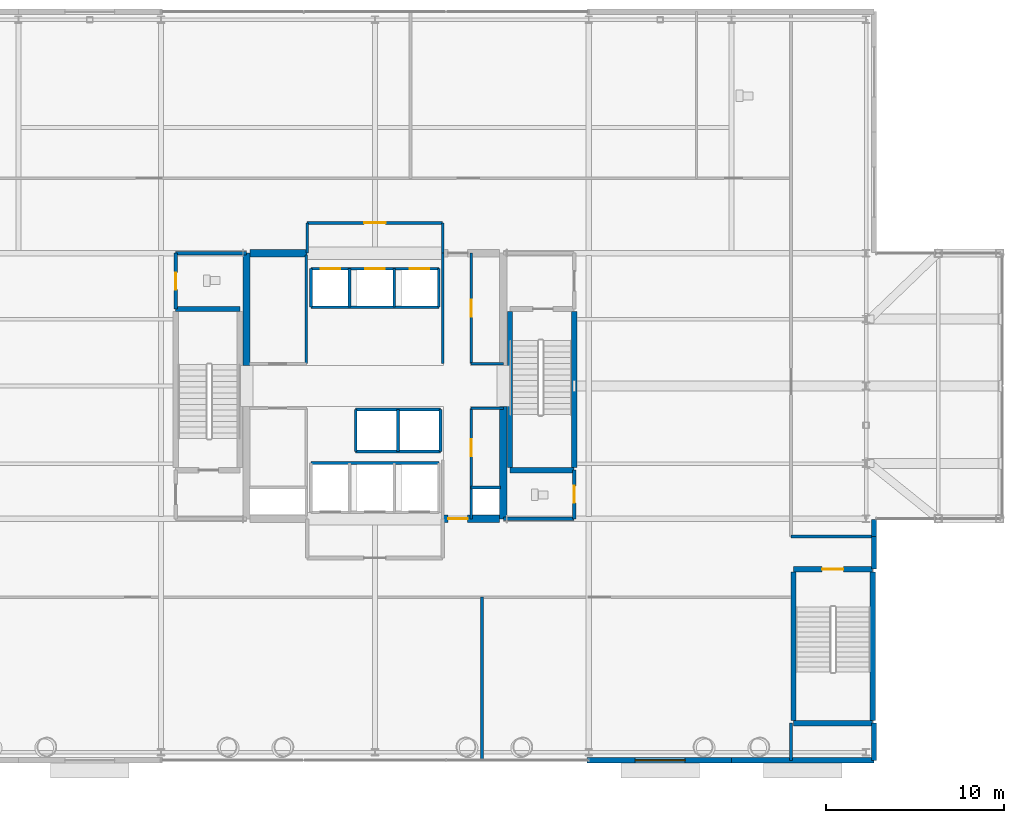
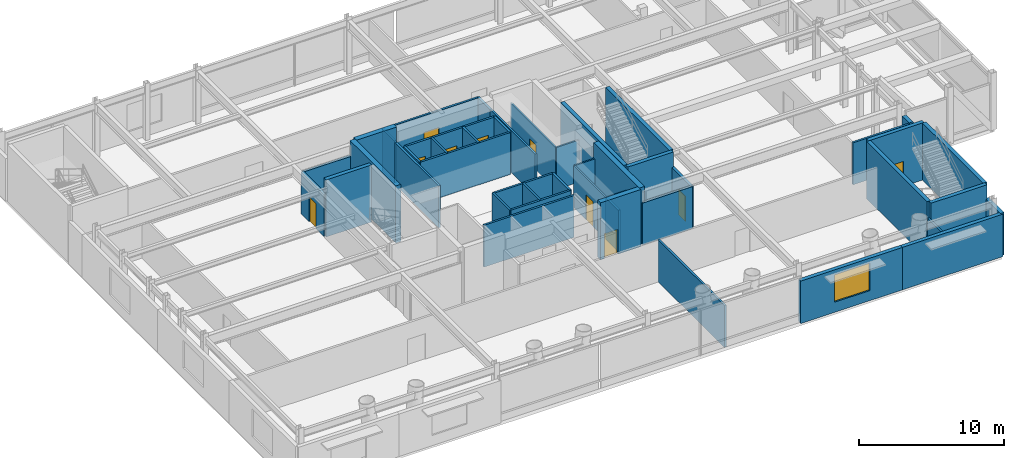
# One storey, part 20 of 26: 47 walls, 10 doors, 1 window, 11 openings.
"""IFC4 building model written with IfcOpenShell, lengths in metres."""

from ifc_helpers import new_model, si_unit, direction, frame, frame_2d, origin, place, context, subcontext, project, spatial, rectangle, extrude, material, layer, layer_set, type_object, element, fill, save


model = new_model("IFC4")

# Units and contexts
model_context = context("Model", 3, precision=1e-05, world=origin(), true_north=direction((0.0, 1.0)))
body_context = subcontext(model_context, "Body", "Model", "MODEL_VIEW")
ifc_project = project(units=[si_unit("LENGTHUNIT", "METRE"), si_unit("AREAUNIT", "SQUARE_METRE"), si_unit("VOLUMEUNIT", "CUBIC_METRE"), si_unit("PLANEANGLEUNIT", "RADIAN"), si_unit("MASSUNIT", "GRAM", prefix="KILO")], contexts=[model_context])

# Site, building, storey
site_placement = place(None, origin())
site = spatial("IfcSite", under=ifc_project, at=site_placement, CompositionType="ELEMENT")
building_placement = place(site_placement, origin())
building = spatial("IfcBuilding", under=site, at=building_placement, Name="Veldorina Hangang Commons", CompositionType="ELEMENT")
storey_placement = place(building_placement, frame((0.0, 0.0, 5.199951171875)))
storey = spatial("IfcBuildingStorey", under=building, at=storey_placement, Name="L01", CompositionType="ELEMENT", Elevation=5.199951171875)

# Walls
ifc_material_1 = material(Name="Concrete C70/85", Category="concrete")
ifc_layer_1 = layer(ifc_material_1, 0.39990234375)
ifc_layer_set_1 = layer_set([ifc_layer_1], Name="Concrete C70/85")
wall_type_1 = type_object("IfcWallType", Name="CW-RC400-C70", PredefinedType="SHEAR", material=ifc_layer_set_1)
for number, where, z_axis, x_axis, name in (
    (1, (24.800048828125, 25.14990234375, 0.0), (0.0, 0.0, 1.0), (0.0, 1.0, 0.0), "L01 W north core shear wall"),
    (2, (39.199951171875, 16.550048828125, 0.0), (0.0, 0.0, 1.0), (0.0, 1.0, 0.0), "L01 E south core shear wall"),
):
    element("IfcWall", number, at=place(storey_placement, frame(where, z_axis=z_axis, x_axis=x_axis)), inside=storey, type_object=wall_type_1, Name=name, PredefinedType="SHEAR", context=body_context, shape_type="SweptSolid", body=[
        extrude(rectangle(XDim=6.300048828125, YDim=0.39990234375, at=frame_2d((3.14990234375, 0.0))), origin(), (0.0, 0.0, 1.0), 4.800048828125),
    ])

# Wall, opening, door
wall_1_placement = place(storey_placement, frame((35.800048828125, 16.550048828125, 0.0), z_axis=(0.0, 0.0, 1.0), x_axis=(1.0, 0.0, 0.0)))
wall_1 = element("IfcWall", 3, at=wall_1_placement, inside=storey, type_object=wall_type_1, Name="L01 south-east core shear wall", PredefinedType="SHEAR", context=body_context, shape_type="SweptSolid", body=[
    extrude(rectangle(XDim=3.199951171875, YDim=0.39990234375, at=frame_2d((1.60009765625, 0.0))), origin(), (0.0, 0.0, 1.0), 4.800048828125),
])
opening_1_placement = place(wall_1_placement, frame((0.300048828125, 0.0, 0.0)))
opening_1 = element("IfcOpeningElement", 4, at=opening_1_placement, cuts=wall_1, Name="Opening D-08", PredefinedType="OPENING", context=body_context, shape_type="SweptSolid", body=[
    extrude(rectangle(XDim=1.10009765625, YDim=2.10009765625, at=frame_2d((0.550048828125, 1.050048828125))), frame((0.0, 0.2099609375, 0.0), z_axis=(0.0, -1.0, 0.0), x_axis=(1.0, 0.0, 0.0)), (0.0, 0.0, 1.0), 0.419921875),
])
ifc_material_2 = material(Name="Steel Fire-Rated Smoke Seal", Category="steel")
door_type_1 = type_object("IfcDoorType", Name="DR-FIRE-1100", OperationType="SINGLE_SWING_RIGHT", PredefinedType="DOOR", material=ifc_material_2)
door_1_placement = place(opening_1_placement, origin())
door_1 = element("IfcDoor", 5, at=door_1_placement, inside=storey, type_object=door_type_1, Name="L01 central lift lobby south corridor door", OperationType="SINGLE_SWING_RIGHT", OverallHeight=2.10009765625, OverallWidth=1.10009765625, PredefinedType="DOOR", context=body_context, shape_type="SweptSolid", body=[
    extrude(rectangle(XDim=1.10009765625, YDim=2.10009765625, at=frame_2d((0.550048828125, 1.050048828125))), frame((0.0, 0.02490234375, 0.0), z_axis=(0.0, -1.0, 0.0), x_axis=(1.0, 0.0, 0.0)), (0.0, 0.0, 1.0), 0.050048828125),
])
fill(opening_1, door_1)

# Wall
wall_2_placement = place(storey_placement, frame((25.0, 31.449951171875, 0.0), z_axis=(0.0, 0.0, 1.0), x_axis=(1.0, 0.0, 0.0)))
element("IfcWall", 6, at=wall_2_placement, inside=storey, type_object=wall_type_1, Name="L01 north-west core shear wall", PredefinedType="SHEAR", context=body_context, shape_type="SweptSolid", body=[
    extrude(rectangle(XDim=3.199951171875, YDim=0.39990234375, at=frame_2d((1.60009765625, 0.0))), origin(), (0.0, 0.0, 1.0), 4.800048828125),
])

# Wall, opening, window
ifc_material_3 = material(Name="Stone Roman Travertine", Category="masonry")
ifc_layer_2 = layer(ifc_material_3, 0.300048828125)
ifc_layer_set_2 = layer_set([ifc_layer_2], Name="Stone Roman Travertine")
wall_type_2 = type_object("IfcWallType", Name="EW-TRAV-300", PredefinedType="STANDARD", material=ifc_layer_set_2)
wall_3_placement = place(storey_placement, frame((43.905029296875, 3.0, 0.0), z_axis=(0.0, 0.0, 1.0), x_axis=(1.0, 0.0, 0.0)))
wall_3 = element("IfcWall", 7, at=wall_3_placement, inside=storey, type_object=wall_type_2, Name="L01 south podium stone wall S6", PredefinedType="STANDARD", context=body_context, shape_type="SweptSolid", body=[
    extrude(rectangle(XDim=8.094970703125, YDim=0.300048828125, at=frame_2d((4.04736328125, 0.0))), origin(), (0.0, 0.0, 1.0), 3.570068359375),
])
opening_2_placement = place(wall_3_placement, frame((2.695068359375, 0.0, 0.85009765625)))
opening_2 = element("IfcOpeningElement", 8, at=opening_2_placement, cuts=wall_3, Name="Opening W-06", PredefinedType="OPENING", context=body_context, shape_type="SweptSolid", body=[
    extrude(rectangle(XDim=2.800048828125, YDim=2.300048828125, at=frame_2d((1.39990234375, 1.14990234375))), frame((0.0, 0.16015625, 0.0), z_axis=(0.0, -1.0, 0.0), x_axis=(1.0, 0.0, 0.0)), (0.0, 0.0, 1.0), 0.320068359375),
])
ifc_material_4 = material(Name="Glass Acoustic Laminated", Category="glass")
window_type = type_object("IfcWindowType", Name="WIN-POD-2800", PartitioningType="SINGLE_PANEL", PredefinedType="WINDOW", material=ifc_material_4)
window_placement = place(opening_2_placement, origin())
window = element("IfcWindow", 9, at=window_placement, inside=storey, type_object=window_type, Name="L01 south podium window S6", OverallHeight=2.300048828125, OverallWidth=2.800048828125, PartitioningType="SINGLE_PANEL", PredefinedType="WINDOW", context=body_context, shape_type="SweptSolid", body=[
    extrude(rectangle(XDim=2.800048828125, YDim=2.300048828125, at=frame_2d((1.39990234375, 1.14990234375))), frame((0.0, 0.030029296875, 0.0), z_axis=(0.0, -1.0, 0.0), x_axis=(1.0, 0.0, 0.0)), (0.0, 0.0, 1.0), 0.06005859375),
])
fill(opening_2, window)

# Walls
wall_4_placement = place(storey_placement, frame((52.0, 3.0, 0.0), z_axis=(0.0, 0.0, 1.0), x_axis=(1.0, 0.0, 0.0)))
element("IfcWall", 10, at=wall_4_placement, inside=storey, type_object=wall_type_2, Name="L01 south podium stone wall S7", PredefinedType="STANDARD", context=body_context, shape_type="SweptSolid", body=[
    extrude(rectangle(XDim=8.0, YDim=0.300048828125, at=frame_2d((4.0, 0.0))), origin(), (0.0, 0.0, 1.0), 3.570068359375),
])
wall_5_placement = place(storey_placement, frame((60.0, 3.0, 0.0), z_axis=(0.0, 0.0, 1.0), x_axis=(0.0, 1.0, 0.0)))
element("IfcWall", 11, at=wall_5_placement, inside=storey, type_object=wall_type_2, Name="L01 east podium stone wall ES1", PredefinedType="STANDARD", context=body_context, shape_type="SweptSolid", body=[
    extrude(rectangle(XDim=2.080078125, YDim=0.300048828125, at=frame_2d((1.0400390625, 0.0))), origin(), (0.0, 0.0, 1.0), 3.570068359375),
])
wall_6_placement = place(storey_placement, frame((60.0, 13.719970703125, 0.0), z_axis=(0.0, 0.0, 1.0), x_axis=(0.0, 1.0, 0.0)))
element("IfcWall", 12, at=wall_6_placement, inside=storey, type_object=wall_type_2, Name="L01 east podium stone wall ES2", PredefinedType="STANDARD", context=body_context, shape_type="SweptSolid", body=[
    extrude(rectangle(XDim=1.830078125, YDim=0.300048828125, at=frame_2d((0.9150390625, 0.0))), origin(), (0.0, 0.0, 1.0), 3.570068359375),
])
wall_7_placement = place(storey_placement, frame((60.0, 15.550048828125, 0.0), z_axis=(0.0, 0.0, 1.0), x_axis=(0.0, 1.0, 0.0)))
element("IfcWall", 13, at=wall_7_placement, inside=storey, type_object=wall_type_2, Name="L01 east podium stone wall ES3", PredefinedType="STANDARD", context=body_context, shape_type="SweptSolid", body=[
    extrude(rectangle(XDim=0.949951171875, YDim=0.300048828125, at=frame_2d((0.47509765625, 0.0))), origin(), (0.0, 0.0, 1.0), 3.570068359375),
])
ifc_material_5 = material(Name="Concrete C50/60", Category="concrete")
ifc_layer_3 = layer(ifc_material_5, 0.300048828125)
ifc_layer_set_3 = layer_set([ifc_layer_3], Name="Concrete C50/60")
wall_type_3 = type_object("IfcWallType", Name="SW-STAIR-300", PredefinedType="SHEAR", material=ifc_layer_set_3)
wall_8_placement = place(storey_placement, frame((20.820068359375, 28.320068359375, 0.0), z_axis=(0.0, 0.0, 1.0), x_axis=(1.0, 0.0, 0.0)))
element("IfcWall", 14, at=wall_8_placement, inside=storey, type_object=wall_type_3, Name="L01 ST1 north stair shear wall", PredefinedType="SHEAR", context=body_context, shape_type="SweptSolid", body=[
    extrude(rectangle(XDim=3.599853515625, YDim=0.300048828125, at=frame_2d((1.7998046875, 0.0))), origin(), (0.0, 0.0, 1.0), 4.800048828125),
])
for number, where, z_axis, x_axis, name in (
    (15, (43.179931640625, 19.429931640625, 0.0), (0.0, 0.0, 1.0), (0.0, 1.0, 0.0), "L01 ST2 outer stair shear wall"),
    (16, (39.580078125, 19.429931640625, 0.0), (0.0, 0.0, 1.0), (0.0, 1.0, 0.0), "L01 ST2 inner stair shear wall"),
):
    element("IfcWall", number, at=place(storey_placement, frame(where, z_axis=z_axis, x_axis=x_axis)), inside=storey, type_object=wall_type_3, Name=name, PredefinedType="SHEAR", context=body_context, shape_type="SweptSolid", body=[
        extrude(rectangle(XDim=8.739990234375, YDim=0.300048828125, at=frame_2d((4.3701171875, 0.0))), origin(), (0.0, 0.0, 1.0), 4.800048828125),
    ])
wall_9_placement = place(storey_placement, frame((39.580078125, 19.280029296875, 0.0), z_axis=(0.0, 0.0, 1.0), x_axis=(1.0, 0.0, 0.0)))
element("IfcWall", 17, at=wall_9_placement, inside=storey, type_object=wall_type_3, Name="L01 ST2 south stair shear wall", PredefinedType="SHEAR", context=body_context, shape_type="SweptSolid", body=[
    extrude(rectangle(XDim=3.599853515625, YDim=0.300048828125, at=frame_2d((1.7998046875, 0.0))), origin(), (0.0, 0.0, 1.0), 4.800048828125),
])
for number, where, z_axis, x_axis, name in (
    (18, (55.47998046875, 5.22998046875, 0.0), (0.0, 0.0, 1.0), (0.0, 1.0, 0.0), "L01 STP2 W stair shear wall"),
    (19, (59.919921875, 5.22998046875, 0.0), (0.0, 0.0, 1.0), (0.0, 1.0, 0.0), "L01 STP2 E stair shear wall"),
):
    element("IfcWall", number, at=place(storey_placement, frame(where, z_axis=z_axis, x_axis=x_axis)), inside=storey, type_object=wall_type_3, Name=name, PredefinedType="SHEAR", context=body_context, shape_type="SweptSolid", body=[
        extrude(rectangle(XDim=8.340087890625, YDim=0.300048828125, at=frame_2d((4.169921875, 0.0))), origin(), (0.0, 0.0, 1.0), 4.800048828125),
    ])
wall_10_placement = place(storey_placement, frame((55.47998046875, 5.080078125, 0.0), z_axis=(0.0, 0.0, 1.0), x_axis=(1.0, 0.0, 0.0)))
element("IfcWall", 20, at=wall_10_placement, inside=storey, type_object=wall_type_3, Name="L01 STP2 S stair shear wall", PredefinedType="SHEAR", context=body_context, shape_type="SweptSolid", body=[
    extrude(rectangle(XDim=4.43994140625, YDim=0.300048828125, at=frame_2d((2.219970703125, 0.0))), origin(), (0.0, 0.0, 1.0), 4.800048828125),
])

# Wall, opening, door
wall_11_placement = place(storey_placement, frame((55.47998046875, 13.719970703125, 0.0), z_axis=(0.0, 0.0, 1.0), x_axis=(1.0, 0.0, 0.0)))
wall_11 = element("IfcWall", 21, at=wall_11_placement, inside=storey, type_object=wall_type_3, Name="L01 STP2 N stair shear wall", PredefinedType="SHEAR", context=body_context, shape_type="SweptSolid", body=[
    extrude(rectangle(XDim=4.43994140625, YDim=0.300048828125, at=frame_2d((2.219970703125, 0.0))), origin(), (0.0, 0.0, 1.0), 4.800048828125),
])
opening_3_placement = place(wall_11_placement, frame((1.60009765625, 0.0, 0.0)))
opening_3 = element("IfcOpeningElement", 22, at=opening_3_placement, cuts=wall_11, Name="Opening D-09", PredefinedType="OPENING", context=body_context, shape_type="SweptSolid", body=[
    extrude(rectangle(XDim=1.199951171875, YDim=2.10009765625, at=frame_2d((0.60009765625, 1.050048828125))), frame((0.0, 0.16015625, 0.0), z_axis=(0.0, -1.0, 0.0), x_axis=(1.0, 0.0, 0.0)), (0.0, 0.0, 1.0), 0.320068359375),
])
ifc_material_6 = material(Name="Steel Fire-Rated Corridor Door", Category="steel")
door_type_2 = type_object("IfcDoorType", Name="DR-FIRE-1200", OperationType="SINGLE_SWING_LEFT", PredefinedType="DOOR", material=ifc_material_6)
door_2_placement = place(opening_3_placement, origin())
door_2 = element("IfcDoor", 23, at=door_2_placement, inside=storey, type_object=door_type_2, Name="L01 Podium Stair ST-P2 door", OperationType="SINGLE_SWING_RIGHT", OverallHeight=2.10009765625, OverallWidth=1.199951171875, PredefinedType="DOOR", context=body_context, shape_type="SweptSolid", body=[
    extrude(rectangle(XDim=1.199951171875, YDim=2.10009765625, at=frame_2d((0.60009765625, 1.050048828125))), frame((0.0, 0.02490234375, 0.0), z_axis=(0.0, -1.0, 0.0), x_axis=(1.0, 0.0, 0.0)), (0.0, 0.0, 1.0), 0.050048828125),
])
fill(opening_3, door_2)

# Walls
ifc_material_7 = material(Name="Gypsum Fire-Rated Twin Stud Wall", Category="gypsum")
ifc_layer_4 = layer(ifc_material_7, 0.159912109375)
ifc_layer_set_4 = layer_set([ifc_layer_4], Name="Gypsum Fire-Rated Twin Stud Wall")
wall_type_4 = type_object("IfcWallType", Name="WL-FIRE-160", PredefinedType="SOLIDWALL", material=ifc_layer_set_4)
wall_12_placement = place(storey_placement, frame((37.39990234375, 16.550048828125, 0.0), z_axis=(0.0, 0.0, 1.0), x_axis=(0.0, 1.0, 0.0)))
element("IfcWall", 24, at=wall_12_placement, inside=storey, type_object=wall_type_4, Name="L01 Lift passage SE stub 010", PredefinedType="SOLIDWALL", context=body_context, shape_type="SweptSolid", body=[
    extrude(rectangle(XDim=1.75, YDim=0.159912109375, at=frame_2d((0.875, 0.0))), origin(), (0.0, 0.0, 1.0), 3.52001953125),
])
wall_13_placement = place(storey_placement, frame((35.800048828125, 25.25, 0.0), z_axis=(0.0, 0.0, 1.0), x_axis=(0.0, 1.0, 0.0)))
element("IfcWall", 25, at=wall_13_placement, inside=storey, type_object=wall_type_4, Name="L01 Lift passage NW wall 011", PredefinedType="SOLIDWALL", context=body_context, shape_type="SweptSolid", body=[
    extrude(rectangle(XDim=6.199951171875, YDim=0.159912109375, at=frame_2d((3.10009765625, 0.0))), origin(), (0.0, 0.0, 1.0), 3.52001953125),
])

# Wall, openings, doors
wall_14_placement = place(storey_placement, frame((28.419921875, 30.580078125, 0.0), z_axis=(0.0, 0.0, 1.0), x_axis=(1.0, 0.0, 0.0)))
wall_14 = element("IfcWall", 26, at=wall_14_placement, inside=storey, type_object=wall_type_4, Name="L01 Low-bank front shaft wall 015", PredefinedType="SOLIDWALL", context=body_context, shape_type="SweptSolid", body=[
    extrude(rectangle(XDim=7.16015625, YDim=0.159912109375, at=frame_2d((3.580078125, 0.0))), origin(), (0.0, 0.0, 1.0), 3.52001953125),
])
opening_4_placement = place(wall_14_placement, frame((0.530029296875, 0.0, 0.0)))
opening_4 = element("IfcOpeningElement", 27, at=opening_4_placement, cuts=wall_14, Name="Opening LD-01", PredefinedType="OPENING", context=body_context, shape_type="SweptSolid", body=[
    extrude(rectangle(XDim=1.10009765625, YDim=2.14990234375, at=frame_2d((0.550048828125, 1.074951171875))), frame((0.0, 0.08984375, 0.0), z_axis=(0.0, -1.0, 0.0), x_axis=(1.0, 0.0, 0.0)), (0.0, 0.0, 1.0), 0.179931640625),
])
opening_5_placement = place(wall_14_placement, frame((3.030029296875, 0.0, 0.0)))
opening_5 = element("IfcOpeningElement", 28, at=opening_5_placement, cuts=wall_14, Name="Opening LD-01", PredefinedType="OPENING", context=body_context, shape_type="SweptSolid", body=[
    extrude(rectangle(XDim=1.10009765625, YDim=2.14990234375, at=frame_2d((0.550048828125, 1.074951171875))), frame((0.0, 0.08984375, 0.0), z_axis=(0.0, -1.0, 0.0), x_axis=(1.0, 0.0, 0.0)), (0.0, 0.0, 1.0), 0.179931640625),
])
opening_6_placement = place(wall_14_placement, frame((5.530029296875, 0.0, 0.0)))
opening_6 = element("IfcOpeningElement", 29, at=opening_6_placement, cuts=wall_14, Name="Opening LD-01", PredefinedType="OPENING", context=body_context, shape_type="SweptSolid", body=[
    extrude(rectangle(XDim=1.10009765625, YDim=2.14990234375, at=frame_2d((0.550048828125, 1.074951171875))), frame((0.0, 0.08984375, 0.0), z_axis=(0.0, -1.0, 0.0), x_axis=(1.0, 0.0, 0.0)), (0.0, 0.0, 1.0), 0.179931640625),
])
ifc_material_8 = material(Name="Stainless Steel Brushed Lift Door", Category="steel")
door_type_3 = type_object("IfcDoorType", Name="DR-LIFT-1100", OperationType="SLIDING_TO_LEFT", PredefinedType="DOOR", material=ifc_material_8)
door_3_placement = place(opening_4_placement, origin())
door_3 = element("IfcDoor", 30, at=door_3_placement, inside=storey, type_object=door_type_3, Name="L01 Lift PL-L1 landing door 006", OperationType="SLIDING_TO_LEFT", OverallHeight=2.14990234375, OverallWidth=1.10009765625, PredefinedType="DOOR", context=body_context, shape_type="SweptSolid", body=[
    extrude(rectangle(XDim=1.10009765625, YDim=2.14990234375, at=frame_2d((0.550048828125, 1.074951171875))), frame((0.0, 0.02490234375, 0.0), z_axis=(0.0, -1.0, 0.0), x_axis=(1.0, 0.0, 0.0)), (0.0, 0.0, 1.0), 0.050048828125),
])
fill(opening_4, door_3)
door_4_placement = place(opening_5_placement, origin())
door_4 = element("IfcDoor", 31, at=door_4_placement, inside=storey, type_object=door_type_3, Name="L01 Lift PL-L2 landing door 007", OperationType="SLIDING_TO_LEFT", OverallHeight=2.14990234375, OverallWidth=1.10009765625, PredefinedType="DOOR", context=body_context, shape_type="SweptSolid", body=[
    extrude(rectangle(XDim=1.10009765625, YDim=2.14990234375, at=frame_2d((0.550048828125, 1.074951171875))), frame((0.0, 0.02490234375, 0.0), z_axis=(0.0, -1.0, 0.0), x_axis=(1.0, 0.0, 0.0)), (0.0, 0.0, 1.0), 0.050048828125),
])
fill(opening_5, door_4)
door_5_placement = place(opening_6_placement, origin())
door_5 = element("IfcDoor", 32, at=door_5_placement, inside=storey, type_object=door_type_3, Name="L01 Lift PL-L3 landing door 008", OperationType="SLIDING_TO_LEFT", OverallHeight=2.14990234375, OverallWidth=1.10009765625, PredefinedType="DOOR", context=body_context, shape_type="SweptSolid", body=[
    extrude(rectangle(XDim=1.10009765625, YDim=2.14990234375, at=frame_2d((0.550048828125, 1.074951171875))), frame((0.0, 0.02490234375, 0.0), z_axis=(0.0, -1.0, 0.0), x_axis=(1.0, 0.0, 0.0)), (0.0, 0.0, 1.0), 0.050048828125),
])
fill(opening_6, door_5)

# Walls
wall_15_placement = place(storey_placement, frame((28.419921875, 28.419921875, 0.0), z_axis=(0.0, 0.0, 1.0), x_axis=(1.0, 0.0, 0.0)))
element("IfcWall", 33, at=wall_15_placement, inside=storey, type_object=wall_type_4, Name="L01 Low-bank rear shaft wall 016", PredefinedType="SOLIDWALL", context=body_context, shape_type="SweptSolid", body=[
    extrude(rectangle(XDim=7.16015625, YDim=0.159912109375, at=frame_2d((3.580078125, 0.0))), origin(), (0.0, 0.0, 1.0), 3.52001953125),
])
for number, where, z_axis, x_axis, name in (
    (34, (28.419921875, 28.419921875, 0.0), (0.0, 0.0, 1.0), (0.0, 1.0, 0.0), "L01 PL-L1 west shaft wall 017"),
    (35, (30.580078125, 28.419921875, 0.0), (0.0, 0.0, 1.0), (0.0, 1.0, 0.0), "L01 PL-L1 east shaft wall 018"),
    (36, (33.080078125, 28.419921875, 0.0), (0.0, 0.0, 1.0), (0.0, 1.0, 0.0), "L01 PL-L2 east shaft wall 019"),
    (37, (35.580078125, 28.419921875, 0.0), (0.0, 0.0, 1.0), (0.0, 1.0, 0.0), "L01 PL-L3 east shaft wall 020"),
):
    element("IfcWall", number, at=place(storey_placement, frame(where, z_axis=z_axis, x_axis=x_axis)), inside=storey, type_object=wall_type_4, Name=name, PredefinedType="SOLIDWALL", context=body_context, shape_type="SweptSolid", body=[
        extrude(rectangle(XDim=2.16015625, YDim=0.159912109375, at=frame_2d((1.080078125, 0.0))), origin(), (0.0, 0.0, 1.0), 3.52001953125),
    ])
for number, where, z_axis, x_axis, name in (
    (38, (30.919921875, 22.679931640625, 0.0), (0.0, 0.0, 1.0), (1.0, 0.0, 0.0), "L01 Shuttle-high front shaft wall 021"),
    (39, (30.919921875, 20.320068359375, 0.0), (0.0, 0.0, 1.0), (1.0, 0.0, 0.0), "L01 Shuttle-high rear shaft wall 022"),
):
    element("IfcWall", number, at=place(storey_placement, frame(where, z_axis=z_axis, x_axis=x_axis)), inside=storey, type_object=wall_type_4, Name=name, PredefinedType="SOLIDWALL", context=body_context, shape_type="SweptSolid", body=[
        extrude(rectangle(XDim=4.760009765625, YDim=0.159912109375, at=frame_2d((2.3798828125, 0.0))), origin(), (0.0, 0.0, 1.0), 3.52001953125),
    ])
for number, where, z_axis, x_axis, name in (
    (40, (30.919921875, 20.320068359375, 0.0), (0.0, 0.0, 1.0), (0.0, 1.0, 0.0), "L01 SL-1 west shaft wall 023"),
    (41, (33.300048828125, 20.320068359375, 0.0), (0.0, 0.0, 1.0), (0.0, 1.0, 0.0), "L01 SL-1 east shaft wall 024"),
    (42, (35.679931640625, 20.320068359375, 0.0), (0.0, 0.0, 1.0), (0.0, 1.0, 0.0), "L01 SL-2 east shaft wall 025"),
):
    element("IfcWall", number, at=place(storey_placement, frame(where, z_axis=z_axis, x_axis=x_axis)), inside=storey, type_object=wall_type_4, Name=name, PredefinedType="SOLIDWALL", context=body_context, shape_type="SweptSolid", body=[
        extrude(rectangle(XDim=2.35986328125, YDim=0.159912109375, at=frame_2d((1.179931640625, 0.0))), origin(), (0.0, 0.0, 1.0), 3.52001953125),
    ])
wall_16_placement = place(storey_placement, frame((28.419921875, 19.679931640625, 0.0), z_axis=(0.0, 0.0, 1.0), x_axis=(1.0, 0.0, 0.0)))
element("IfcWall", 43, at=wall_16_placement, inside=storey, type_object=wall_type_4, Name="L01 Emergency rear shaft wall 027", PredefinedType="SOLIDWALL", context=body_context, shape_type="SweptSolid", body=[
    extrude(rectangle(XDim=7.16015625, YDim=0.159912109375, at=frame_2d((3.580078125, 0.0))), origin(), (0.0, 0.0, 1.0), 3.52001953125),
])
for number, where, z_axis, x_axis, name in (
    (44, (28.199951171875, 31.449951171875, 0.0), (0.0, 0.0, 1.0), (0.0, 1.0, 0.0), "L01 North lobby west wall 032"),
    (45, (35.800048828125, 31.449951171875, 0.0), (0.0, 0.0, 1.0), (0.0, 1.0, 0.0), "L01 North lobby east wall 033"),
):
    element("IfcWall", number, at=place(storey_placement, frame(where, z_axis=z_axis, x_axis=x_axis)), inside=storey, type_object=wall_type_4, Name=name, PredefinedType="SOLIDWALL", context=body_context, shape_type="SweptSolid", body=[
        extrude(rectangle(XDim=1.699951171875, YDim=0.159912109375, at=frame_2d((0.85009765625, 0.0))), origin(), (0.0, 0.0, 1.0), 3.52001953125),
    ])

# Wall, opening, door
wall_17_placement = place(storey_placement, frame((28.199951171875, 33.14990234375, 0.0), z_axis=(0.0, 0.0, 1.0), x_axis=(1.0, 0.0, 0.0)))
wall_17 = element("IfcWall", 46, at=wall_17_placement, inside=storey, type_object=wall_type_4, Name="L01 North lobby north wall 034", PredefinedType="SOLIDWALL", context=body_context, shape_type="SweptSolid", body=[
    extrude(rectangle(XDim=7.60009765625, YDim=0.159912109375, at=frame_2d((3.800048828125, 0.0))), origin(), (0.0, 0.0, 1.0), 3.52001953125),
])
opening_7_placement = place(wall_17_placement, frame((3.199951171875, 0.0, 0.0)))
opening_7 = element("IfcOpeningElement", 47, at=opening_7_placement, cuts=wall_17, Name="Opening D-09", PredefinedType="OPENING", context=body_context, shape_type="SweptSolid", body=[
    extrude(rectangle(XDim=1.199951171875, YDim=2.10009765625, at=frame_2d((0.60009765625, 1.050048828125))), frame((0.0, 0.08984375, 0.0), z_axis=(0.0, -1.0, 0.0), x_axis=(1.0, 0.0, 0.0)), (0.0, 0.0, 1.0), 0.179931640625),
])
door_6_placement = place(opening_7_placement, origin())
door_6 = element("IfcDoor", 48, at=door_6_placement, inside=storey, type_object=door_type_2, Name="L01 North lift lobby corridor door 012", OperationType="SINGLE_SWING_RIGHT", OverallHeight=2.10009765625, OverallWidth=1.199951171875, PredefinedType="DOOR", context=body_context, shape_type="SweptSolid", body=[
    extrude(rectangle(XDim=1.199951171875, YDim=2.10009765625, at=frame_2d((0.60009765625, 1.050048828125))), frame((0.0, 0.02490234375, 0.0), z_axis=(0.0, -1.0, 0.0), x_axis=(1.0, 0.0, 0.0)), (0.0, 0.0, 1.0), 0.050048828125),
])
fill(opening_7, door_6)

# Walls
wall_18_placement = place(storey_placement, frame((37.39990234375, 18.300048828125, 0.0), z_axis=(0.0, 0.0, 1.0), x_axis=(1.0, 0.0, 0.0)))
element("IfcWall", 49, at=wall_18_placement, inside=storey, type_object=wall_type_4, Name="L01 Plumbing riser wall 037", PredefinedType="SOLIDWALL", context=body_context, shape_type="SweptSolid", body=[
    extrude(rectangle(XDim=1.650146484375, YDim=0.159912109375, at=frame_2d((0.8251953125, 0.0))), origin(), (0.0, 0.0, 1.0), 3.52001953125),
])
wall_19_placement = place(storey_placement, frame((28.14990234375, 25.25, 0.0), z_axis=(0.0, 0.0, 1.0), x_axis=(0.0, 1.0, 0.0)))
element("IfcWall", 50, at=wall_19_placement, inside=storey, type_object=wall_type_4, Name="L01 NW core inner wall 038", PredefinedType="SOLIDWALL", context=body_context, shape_type="SweptSolid", body=[
    extrude(rectangle(XDim=6.10009765625, YDim=0.159912109375, at=frame_2d((3.050048828125, 0.0))), origin(), (0.0, 0.0, 1.0), 3.52001953125),
])
wall_20_placement = place(storey_placement, frame((55.35009765625, 15.550048828125, 0.0), z_axis=(0.0, 0.0, 1.0), x_axis=(1.0, 0.0, 0.0)))
element("IfcWall", 51, at=wall_20_placement, inside=storey, type_object=wall_type_4, Name="L01 L01 east room south wall 050", PredefinedType="SOLIDWALL", context=body_context, shape_type="SweptSolid", body=[
    extrude(rectangle(XDim=4.64990234375, YDim=0.159912109375, at=frame_2d((2.324951171875, 0.0))), origin(), (0.0, 0.0, 1.0), 3.52001953125),
])
wall_21_placement = place(storey_placement, frame((38.0, 3.0, 0.0), z_axis=(0.0, 0.0, 1.0), x_axis=(0.0, 1.0, 0.0)))
element("IfcWall", 52, at=wall_21_placement, inside=storey, type_object=wall_type_4, Name="L01 Refectory-kitchen wall 052", PredefinedType="SOLIDWALL", context=body_context, shape_type="SweptSolid", body=[
    extrude(rectangle(XDim=9.14990234375, YDim=0.159912109375, at=frame_2d((4.574951171875, 0.0))), origin(), (0.0, 0.0, 1.0), 3.52001953125),
])
wall_22_placement = place(storey_placement, frame((55.35009765625, 3.0, 0.0), z_axis=(0.0, 0.0, 1.0), x_axis=(0.0, 1.0, 0.0)))
element("IfcWall", 53, at=wall_22_placement, inside=storey, type_object=wall_type_4, Name="L01 Kitchen SE stub wall 053", PredefinedType="SOLIDWALL", context=body_context, shape_type="SweptSolid", body=[
    extrude(rectangle(XDim=2.080078125, YDim=0.159912109375, at=frame_2d((1.0400390625, 0.0))), origin(), (0.0, 0.0, 1.0), 3.52001953125),
])

# Wall, opening, door
ifc_material_9 = material(Name="Concrete Blockwork Fire Wall C30/37", Category="masonry")
ifc_layer_5 = layer(ifc_material_9, 0.199951171875)
ifc_layer_set_5 = layer_set([ifc_layer_5], Name="Concrete Blockwork Fire Wall C30/37")
wall_type_5 = type_object("IfcWallType", Name="WL-FIRE-200", PredefinedType="SOLIDWALL", material=ifc_layer_set_5)
wall_23_placement = place(storey_placement, frame((20.820068359375, 28.320068359375, 0.0), z_axis=(0.0, 0.0, 1.0), x_axis=(0.0, 1.0, 0.0)))
wall_23 = element("IfcWall", 54, at=wall_23_placement, inside=storey, type_object=wall_type_5, Name="L01 NW core room outer wall 005", PredefinedType="SOLIDWALL", context=body_context, shape_type="SweptSolid", body=[
    extrude(rectangle(XDim=3.1298828125, YDim=0.199951171875, at=frame_2d((1.56494140625, 0.0))), origin(), (0.0, 0.0, 1.0), 3.52001953125),
])
opening_8_placement = place(wall_23_placement, frame((1.090087890625, 0.0, 0.0)))
opening_8 = element("IfcOpeningElement", 55, at=opening_8_placement, cuts=wall_23, Name="Opening D-04", PredefinedType="OPENING", context=body_context, shape_type="SweptSolid", body=[
    extrude(rectangle(XDim=0.949951171875, YDim=2.10009765625, at=frame_2d((0.47509765625, 1.050048828125))), frame((0.0, 0.10986328125, 0.0), z_axis=(0.0, -1.0, 0.0), x_axis=(1.0, 0.0, 0.0)), (0.0, 0.0, 1.0), 0.219970703125),
])
ifc_material_10 = material(Name="Timber Accessible Flush Leaf", Category="wood")
door_type_4 = type_object("IfcDoorType", Name="DR-ACC-950", OperationType="SINGLE_SWING_LEFT", PredefinedType="DOOR", material=ifc_material_10)
door_7_placement = place(opening_8_placement, origin())
door_7 = element("IfcDoor", 56, at=door_7_placement, inside=storey, type_object=door_type_4, Name="L01 NW core WC door 003", OperationType="SINGLE_SWING_LEFT", OverallHeight=2.10009765625, OverallWidth=0.949951171875, PredefinedType="DOOR", context=body_context, shape_type="SweptSolid", body=[
    extrude(rectangle(XDim=0.949951171875, YDim=2.10009765625, at=frame_2d((0.47509765625, 1.050048828125))), frame((0.0, 0.02490234375, 0.0), z_axis=(0.0, -1.0, 0.0), x_axis=(1.0, 0.0, 0.0)), (0.0, 0.0, 1.0), 0.050048828125),
])
fill(opening_8, door_7)

# Wall
wall_24_placement = place(storey_placement, frame((20.820068359375, 31.449951171875, 0.0), z_axis=(0.0, 0.0, 1.0), x_axis=(1.0, 0.0, 0.0)))
element("IfcWall", 57, at=wall_24_placement, inside=storey, type_object=wall_type_5, Name="L01 NW core room north wall 006", PredefinedType="SOLIDWALL", context=body_context, shape_type="SweptSolid", body=[
    extrude(rectangle(XDim=3.97998046875, YDim=0.199951171875, at=frame_2d((1.989990234375, 0.0))), origin(), (0.0, 0.0, 1.0), 3.52001953125),
])

# Wall, opening, door
wall_25_placement = place(storey_placement, frame((43.179931640625, 16.550048828125, 0.0), z_axis=(0.0, 0.0, 1.0), x_axis=(0.0, 1.0, 0.0)))
wall_25 = element("IfcWall", 58, at=wall_25_placement, inside=storey, type_object=wall_type_5, Name="L01 SE core room outer wall 007", PredefinedType="SOLIDWALL", context=body_context, shape_type="SweptSolid", body=[
    extrude(rectangle(XDim=2.72998046875, YDim=0.199951171875, at=frame_2d((1.364990234375, 0.0))), origin(), (0.0, 0.0, 1.0), 3.52001953125),
])
opening_9_placement = place(wall_25_placement, frame((0.889892578125, 0.0, 0.0)))
opening_9 = element("IfcOpeningElement", 59, at=opening_9_placement, cuts=wall_25, Name="Opening D-02", PredefinedType="OPENING", context=body_context, shape_type="SweptSolid", body=[
    extrude(rectangle(XDim=0.949951171875, YDim=2.10009765625, at=frame_2d((0.47509765625, 1.050048828125))), frame((0.0, 0.10986328125, 0.0), z_axis=(0.0, -1.0, 0.0), x_axis=(1.0, 0.0, 0.0)), (0.0, 0.0, 1.0), 0.219970703125),
])
ifc_material_11 = material(Name="Timber Solid Core Acoustic", Category="wood")
door_type_5 = type_object("IfcDoorType", Name="DR-INT-950", OperationType="SINGLE_SWING_LEFT", PredefinedType="DOOR", material=ifc_material_11)
door_8_placement = place(opening_9_placement, origin())
door_8 = element("IfcDoor", 60, at=door_8_placement, inside=storey, type_object=door_type_5, Name="L01 SE core WC door 004", OperationType="SINGLE_SWING_RIGHT", OverallHeight=2.10009765625, OverallWidth=0.949951171875, PredefinedType="DOOR", context=body_context, shape_type="SweptSolid", body=[
    extrude(rectangle(XDim=0.949951171875, YDim=2.10009765625, at=frame_2d((0.47509765625, 1.050048828125))), frame((0.0, 0.02490234375, 0.0), z_axis=(0.0, -1.0, 0.0), x_axis=(1.0, 0.0, 0.0)), (0.0, 0.0, 1.0), 0.050048828125),
])
fill(opening_9, door_8)

# Wall
wall_26_placement = place(storey_placement, frame((39.199951171875, 16.550048828125, 0.0), z_axis=(0.0, 0.0, 1.0), x_axis=(1.0, 0.0, 0.0)))
element("IfcWall", 61, at=wall_26_placement, inside=storey, type_object=wall_type_5, Name="L01 SE core room south wall 008", PredefinedType="SOLIDWALL", context=body_context, shape_type="SweptSolid", body=[
    extrude(rectangle(XDim=3.97998046875, YDim=0.199951171875, at=frame_2d((1.989990234375, 0.0))), origin(), (0.0, 0.0, 1.0), 3.52001953125),
])

# Wall, opening, door
ifc_material_12 = material(Name="Gypsum Acoustic Stud Partition", Category="gypsum")
ifc_layer_6 = layer(ifc_material_12, 0.1201171875)
ifc_layer_set_6 = layer_set([ifc_layer_6], Name="Gypsum Acoustic Stud Partition")
wall_type_6 = type_object("IfcWallType", Name="WL-PART-120", PredefinedType="PARTITIONING", material=ifc_layer_set_6)
wall_27_placement = place(storey_placement, frame((37.39990234375, 25.25, 0.0), z_axis=(0.0, 0.0, 1.0), x_axis=(0.0, 1.0, 0.0)))
wall_27 = element("IfcWall", 62, at=wall_27_placement, inside=storey, type_object=wall_type_6, Name="L01 NE strip lobby wall 041", PredefinedType="PARTITIONING", context=body_context, shape_type="SweptSolid", body=[
    extrude(rectangle(XDim=6.199951171875, YDim=0.1201171875, at=frame_2d((3.10009765625, 0.0))), origin(), (0.0, 0.0, 1.0), 3.52001953125),
])
opening_10_placement = place(wall_27_placement, frame((2.625, 0.0, 0.0)))
opening_10 = element("IfcOpeningElement", 63, at=opening_10_placement, cuts=wall_27, Name="Opening D-02", PredefinedType="OPENING", context=body_context, shape_type="SweptSolid", body=[
    extrude(rectangle(XDim=0.949951171875, YDim=2.10009765625, at=frame_2d((0.47509765625, 1.050048828125))), frame((0.0, 0.070068359375, 0.0), z_axis=(0.0, -1.0, 0.0), x_axis=(1.0, 0.0, 0.0)), (0.0, 0.0, 1.0), 0.14013671875),
])
door_9_placement = place(opening_10_placement, origin())
door_9 = element("IfcDoor", 64, at=door_9_placement, inside=storey, type_object=door_type_5, Name="L01 Comms room door 015", OperationType="SINGLE_SWING_LEFT", OverallHeight=2.10009765625, OverallWidth=0.949951171875, PredefinedType="DOOR", context=body_context, shape_type="SweptSolid", body=[
    extrude(rectangle(XDim=0.949951171875, YDim=2.10009765625, at=frame_2d((0.47509765625, 1.050048828125))), frame((0.0, 0.02490234375, 0.0), z_axis=(0.0, -1.0, 0.0), x_axis=(1.0, 0.0, 0.0)), (0.0, 0.0, 1.0), 0.050048828125),
])
fill(opening_10, door_9)

# Wall
wall_28_placement = place(storey_placement, frame((37.39990234375, 25.25, 0.0), z_axis=(0.0, 0.0, 1.0), x_axis=(1.0, 0.0, 0.0)))
element("IfcWall", 65, at=wall_28_placement, inside=storey, type_object=wall_type_6, Name="L01 NE strip south return wall 042", PredefinedType="PARTITIONING", context=body_context, shape_type="SweptSolid", body=[
    extrude(rectangle(XDim=1.800048828125, YDim=0.1201171875, at=frame_2d((0.89990234375, 0.0))), origin(), (0.0, 0.0, 1.0), 3.52001953125),
])

# Wall, opening, door
wall_29_placement = place(storey_placement, frame((37.39990234375, 18.300048828125, 0.0), z_axis=(0.0, 0.0, 1.0), x_axis=(0.0, 1.0, 0.0)))
wall_29 = element("IfcWall", 66, at=wall_29_placement, inside=storey, type_object=wall_type_6, Name="L01 SE strip lobby wall 043", PredefinedType="PARTITIONING", context=body_context, shape_type="SweptSolid", body=[
    extrude(rectangle(XDim=4.449951171875, YDim=0.1201171875, at=frame_2d((2.22509765625, 0.0))), origin(), (0.0, 0.0, 1.0), 3.52001953125),
])
opening_11_placement = place(wall_29_placement, frame((1.75, 0.0, 0.0)))
opening_11 = element("IfcOpeningElement", 67, at=opening_11_placement, cuts=wall_29, Name="Opening D-02", PredefinedType="OPENING", context=body_context, shape_type="SweptSolid", body=[
    extrude(rectangle(XDim=0.949951171875, YDim=2.10009765625, at=frame_2d((0.47509765625, 1.050048828125))), frame((0.0, 0.070068359375, 0.0), z_axis=(0.0, -1.0, 0.0), x_axis=(1.0, 0.0, 0.0)), (0.0, 0.0, 1.0), 0.14013671875),
])
door_10_placement = place(opening_11_placement, origin())
door_10 = element("IfcDoor", 68, at=door_10_placement, inside=storey, type_object=door_type_5, Name="L01 BMS closet door 016", OperationType="SINGLE_SWING_RIGHT", OverallHeight=2.10009765625, OverallWidth=0.949951171875, PredefinedType="DOOR", context=body_context, shape_type="SweptSolid", body=[
    extrude(rectangle(XDim=0.949951171875, YDim=2.10009765625, at=frame_2d((0.47509765625, 1.050048828125))), frame((0.0, 0.02490234375, 0.0), z_axis=(0.0, -1.0, 0.0), x_axis=(1.0, 0.0, 0.0)), (0.0, 0.0, 1.0), 0.050048828125),
])
fill(opening_11, door_10)

# Wall
wall_30_placement = place(storey_placement, frame((37.39990234375, 22.75, 0.0), z_axis=(0.0, 0.0, 1.0), x_axis=(1.0, 0.0, 0.0)))
element("IfcWall", 69, at=wall_30_placement, inside=storey, type_object=wall_type_6, Name="L01 SE strip north return wall 044", PredefinedType="PARTITIONING", context=body_context, shape_type="SweptSolid", body=[
    extrude(rectangle(XDim=1.800048828125, YDim=0.1201171875, at=frame_2d((0.89990234375, 0.0))), origin(), (0.0, 0.0, 1.0), 3.52001953125),
])

save(model, "model.ifc")
